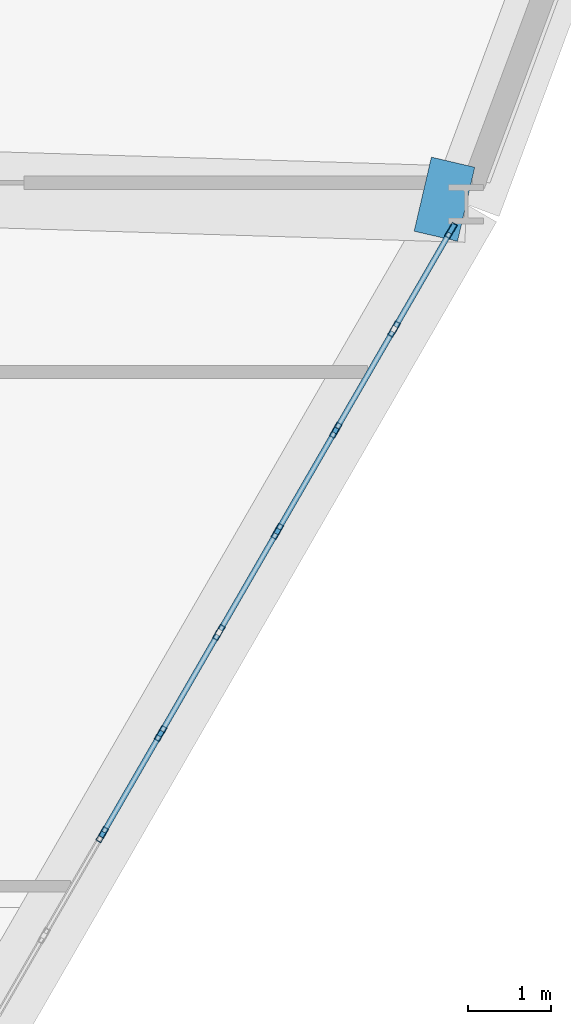
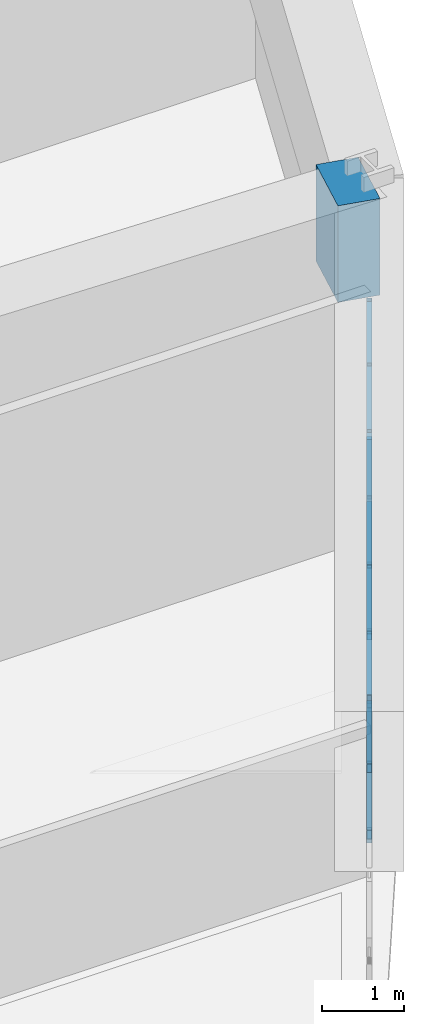
# One storey, part 9 of 20: 21 members, 1 beam, 1 element without a shape of its own.
"""IFC4 building model written with IfcOpenShell, lengths in metres."""

import ifcopenshell
import ifcopenshell.guid

model = None  # the IFC model being written
_history = None  # IfcOwnerHistory: only IFC2X3 demands one
_inside = {}  # id of a spatial element -> (the spatial element, [elements in it])
_under = {}  # id of a project, library or spatial element -> (it, [spatial elements below it])
_declared = {}  # id of a project -> (the project, [libraries it declares])
_typed = {}  # id of a type object -> (the type object, [elements of that type])
_made_of = {}  # id of a material, layer set ... -> (it, [elements and type objects made of it])


def new_model(schema):
    """Start an empty IFC model of exactly this schema.

    Asked for "IFC4X3", IfcOpenShell would pick the latest addendum, in which some entities
    have other attributes; the version numbers below select the first issue.
    IFC2X3 requires an IfcOwnerHistory on every rooted entity: one is made here for all.
    """
    global model, _history
    if schema == "IFC4X3":
        model = ifcopenshell.file(schema_version=(4, 3, 0, 0))
    else:
        model = ifcopenshell.file(schema=schema)
    _inside.clear()
    _under.clear()
    _declared.clear()
    _typed.clear()
    _made_of.clear()
    _history = None
    if model.schema == "IFC2X3":
        org = make("IfcOrganization", Name="unknown")
        user = make(
            "IfcPersonAndOrganization",
            ThePerson=make("IfcPerson", FamilyName="unknown"),
            TheOrganization=org,
        )
        app = make(
            "IfcApplication",
            ApplicationDeveloper=org,
            Version="unknown",
            ApplicationFullName="unknown",
            ApplicationIdentifier="unknown",
        )
        _history = make(
            "IfcOwnerHistory",
            OwningUser=user,
            OwningApplication=app,
            ChangeAction="ADDED",
            CreationDate=0,
        )
    return model


def make(cls, **values):
    """One entity of the class cls with the attributes given. An attribute that is None is left unset."""
    return model.create_entity(
        cls, **{name: value for name, value in values.items() if value is not None}
    )


def rooted(cls, **values):
    """An entity with a GlobalId (a new one), such as an element, a storey or a relation."""
    return make(cls, GlobalId=ifcopenshell.guid.new(), OwnerHistory=_history, **values)


def si_unit(unit_type, name, prefix=None):
    """IfcSIUnit, for example si_unit("LENGTHUNIT", "METRE", prefix="MILLI")."""
    return make("IfcSIUnit", UnitType=unit_type, Prefix=prefix, Name=name)


def derived_unit(unit_type, elements):
    """IfcDerivedUnit: a product of units, each with its exponent."""
    return make(
        "IfcDerivedUnit",
        Elements=[
            make("IfcDerivedUnitElement", Unit=unit, Exponent=power)
            for unit, power in elements
        ],
        UnitType=unit_type,
    )


def assignment(units):
    """IfcUnitAssignment: the units of a project."""
    return None if units is None else make("IfcUnitAssignment", Units=units)


def point(xyz):
    """IfcCartesianPoint."""
    return None if xyz is None else make("IfcCartesianPoint", Coordinates=xyz)


def direction(xyz):
    """IfcDirection."""
    return None if xyz is None else make("IfcDirection", DirectionRatios=xyz)


def frame(location, z_axis=None, x_axis=None):
    """IfcAxis2Placement3D, a coordinate frame: its origin and axes. An axis left out is left unset."""
    return make(
        "IfcAxis2Placement3D",
        Location=point(location),
        Axis=direction(z_axis),
        RefDirection=direction(x_axis),
    )


def frame_2d(location, x_axis=None):
    """IfcAxis2Placement2D, a coordinate frame in the plane: its origin and x axis."""
    return make(
        "IfcAxis2Placement2D", Location=point(location), RefDirection=direction(x_axis)
    )


def origin():
    """The frame at (0, 0, 0) with its axes left unset."""
    return frame((0.0, 0.0, 0.0))


def origin_2d():
    """The frame at (0, 0) in the plane with its x axis left unset."""
    return frame_2d((0.0, 0.0))


def place(relative_to, where):
    """IfcLocalPlacement: puts the frame where relative to a parent placement (None: the world)."""
    return make(
        "IfcLocalPlacement", PlacementRelTo=relative_to, RelativePlacement=where
    )


def context(
    kind, dimensions, precision=None, world=None, true_north=None, identifier=None
):
    """IfcGeometricRepresentationContext, for example the 3D "Model" context."""
    return make(
        "IfcGeometricRepresentationContext",
        ContextIdentifier=identifier,
        ContextType=kind,
        CoordinateSpaceDimension=dimensions,
        Precision=precision,
        WorldCoordinateSystem=world,
        TrueNorth=true_north,
    )


def subcontext(parent, identifier, kind, view, scale=None):
    """IfcGeometricRepresentationSubContext, for example "Body" below "Model"."""
    return make(
        "IfcGeometricRepresentationSubContext",
        ContextIdentifier=identifier,
        ContextType=kind,
        ParentContext=parent,
        TargetScale=scale,
        TargetView=view,
    )


def project(units=None, contexts=None):
    """IfcProject with its units and contexts."""
    return rooted(
        "IfcProject",
        Name="project",
        RepresentationContexts=contexts,
        UnitsInContext=assignment(units),
    )


def spatial(cls, under=None, at=None, **own):
    """A site, building, storey or space (cls), placed at a placement, below another one or the project."""
    s = rooted(cls, ObjectPlacement=at, **own)
    if under is not None:
        _under.setdefault(under.id(), (under, []))[1].append(s)
    return s


def profile(cls, at=None, kind="AREA", **sizes):
    """A parametric profile (cls). Its sizes go by their IFC names, for example OverallWidth=200.0."""
    return make(cls, ProfileType=kind, Position=at, **sizes)


def rectangle(**sizes):
    """IfcRectangleProfileDef."""
    return profile("IfcRectangleProfileDef", **sizes)


def hollow_rectangle(**sizes):
    """IfcRectangleHollowProfileDef."""
    return profile("IfcRectangleHollowProfileDef", **sizes)


def extrude(swept, where, along, depth):
    """IfcExtrudedAreaSolid: the profile swept, set in the frame where, extruded along a direction by depth."""
    return make(
        "IfcExtrudedAreaSolid",
        SweptArea=swept,
        Position=where,
        ExtrudedDirection=direction(along),
        Depth=depth,
    )


def shape(context_of_items, identifier, shape_type, items):
    """IfcShapeRepresentation: the items that make up one representation, for example the "Body"."""
    return make(
        "IfcShapeRepresentation",
        ContextOfItems=context_of_items,
        RepresentationIdentifier=identifier,
        RepresentationType=shape_type,
        Items=items,
    )


def source(mapping_origin, context_of_items, identifier, shape_type, items):
    """IfcRepresentationMap: a shape defined once, which mapped items show again and again."""
    return make(
        "IfcRepresentationMap",
        MappingOrigin=mapping_origin,
        MappedRepresentation=shape(context_of_items, identifier, shape_type, items),
    )


def transform(
    local_origin,
    x_axis=None,
    y_axis=None,
    z_axis=None,
    scale=None,
    scale2=None,
    scale3=None,
    uniform=True,
):
    """IfcCartesianTransformationOperator3D, or its non-uniform kind. x_axis, y_axis, z_axis: its Axis1, 2, 3."""
    if uniform:
        return make(
            "IfcCartesianTransformationOperator3D",
            Axis1=direction(x_axis),
            Axis2=direction(y_axis),
            LocalOrigin=point(local_origin),
            Scale=scale,
            Axis3=direction(z_axis),
        )
    return make(
        "IfcCartesianTransformationOperator3DnonUniform",
        Axis1=direction(x_axis),
        Axis2=direction(y_axis),
        LocalOrigin=point(local_origin),
        Scale=scale,
        Axis3=direction(z_axis),
        Scale2=scale2,
        Scale3=scale3,
    )


def mapped(mapping_source, mapping_target):
    """IfcMappedItem: shows the shape of a source again, moved by a transform."""
    return make(
        "IfcMappedItem", MappingSource=mapping_source, MappingTarget=mapping_target
    )


def material(Name=None, Category=None):
    """IfcMaterial."""
    return make("IfcMaterial", Name=Name, Category=Category)


def layer(
    of_material, thickness, ventilated=None, Name=None, Category=None, Priority=None
):
    """IfcMaterialLayer: one layer of a wall or slab, of a material (None: an air gap)."""
    return make(
        "IfcMaterialLayer",
        Material=of_material,
        LayerThickness=thickness,
        IsVentilated=ventilated,
        Name=Name,
        Category=Category,
        Priority=Priority,
    )


def layer_set(layers, Name=None):
    """IfcMaterialLayerSet."""
    return make("IfcMaterialLayerSet", MaterialLayers=layers, LayerSetName=Name)


def material_profile(
    of_material, cross_section, Name=None, Category=None, Priority=None
):
    """IfcMaterialProfile: a cross section and its material."""
    return make(
        "IfcMaterialProfile",
        Name=Name,
        Material=of_material,
        Profile=cross_section,
        Priority=Priority,
        Category=Category,
    )


def profile_set(profiles, Name=None, composite=None):
    """IfcMaterialProfileSet."""
    return make(
        "IfcMaterialProfileSet",
        Name=Name,
        MaterialProfiles=profiles,
        CompositeProfile=composite,
    )


def made_of(thing, what):
    """Note that an element or type object is made of a material, layer set ...; save() writes the relation."""
    if what is not None:
        _made_of.setdefault(what.id(), (what, []))[1].append(thing)
    return thing


def type_object(cls, material=None, **own):
    """A type object (cls), such as IfcWallType, which elements share."""
    return made_of(rooted(cls, **own), material)


def element(
    cls,
    number,
    at=None,
    inside=None,
    cuts=None,
    type_object=None,
    material=None,
    context=None,
    identifier="Body",
    shape_type=None,
    held_by="IfcProductDefinitionShape",
    body=None,
    shapes=None,
    **own,
):
    """One element of the class cls, such as IfcWall. Its Tag is "e" and its number.

    at: its placement. inside: the storey or other place that contains it. cuts: it is an
    opening in that element (IfcRelVoidsElement). A single representation is given by context,
    identifier, shape_type and body (its items); several are given by shapes. held_by: the class
    of the entity that holds the representations. save() writes the other relations.
    """
    e = rooted(cls, Tag="e%d" % number, ObjectPlacement=at, **own)
    if body is not None:
        shapes = [shape(context, identifier, shape_type, body)]
    if shapes is not None:
        e.Representation = make(held_by, Representations=shapes)
    if inside is not None:
        _inside.setdefault(inside.id(), (inside, []))[1].append(e)
    if cuts is not None:
        rooted(
            "IfcRelVoidsElement", RelatingBuildingElement=cuts, RelatedOpeningElement=e
        )
    if type_object is not None:
        _typed.setdefault(type_object.id(), (type_object, []))[1].append(e)
    return made_of(e, material)


def aggregate(whole, parts):
    """IfcRelAggregates: a whole, such as a stair, and the parts it consists of."""
    return rooted("IfcRelAggregates", RelatingObject=whole, RelatedObjects=parts)


def save(model, path):
    """Write the relations noted so far, then the file.

    IfcRelAggregates (storeys below a building ...), IfcRelContainedInSpatialStructure (elements
    in a storey), IfcRelDefinesByType, IfcRelAssociatesMaterial and IfcRelDeclares: one each for
    every whole, place, type object, material and project.
    """
    for whole, parts in _under.values():
        aggregate(whole, parts)
    for where, things in _inside.values():
        rooted(
            "IfcRelContainedInSpatialStructure",
            RelatedElements=things,
            RelatingStructure=where,
        )
    for kind, things in _typed.values():
        rooted("IfcRelDefinesByType", RelatedObjects=things, RelatingType=kind)
    for what, things in _made_of.values():
        rooted("IfcRelAssociatesMaterial", RelatedObjects=things, RelatingMaterial=what)
    for by, libraries in _declared.values():
        rooted("IfcRelDeclares", RelatingContext=by, RelatedDefinitions=libraries)
    model.write(path)


model = new_model("IFC4")

# Units and contexts
model_context = context("Model", 3, precision=1e-05, world=origin(), true_north=direction((0.0, 1.0)))
body_context = subcontext(model_context, "Body", "Model", "MODEL_VIEW")
ifc_project = project(units=[si_unit("LENGTHUNIT", "METRE"), si_unit("AREAUNIT", "SQUARE_METRE"), si_unit("VOLUMEUNIT", "CUBIC_METRE"), si_unit("PLANEANGLEUNIT", "RADIAN"), si_unit("MASSUNIT", "GRAM", prefix="KILO"), derived_unit("THERMALTRANSMITTANCEUNIT", [(si_unit("POWERUNIT", "WATT"), 1), (si_unit("LENGTHUNIT", "METRE"), -2), (si_unit("THERMODYNAMICTEMPERATUREUNIT", "KELVIN"), -1)])], contexts=[model_context])

# Site, building, storey
site_placement = place(None, origin())
site = spatial("IfcSite", under=ifc_project, at=site_placement, CompositionType="ELEMENT")
building_placement = place(site_placement, origin())
building = spatial("IfcBuilding", under=site, at=building_placement, Name="Korsvarv Bourse and Concert Hall", CompositionType="ELEMENT")
storey_placement = place(building_placement, frame((0.0, 0.0, 31.800048828125)))
storey = spatial("IfcBuildingStorey", under=building, at=storey_placement, Name="L07", CompositionType="ELEMENT", Elevation=31.800048828125)

# Beam
ifc_material_1 = material(Name="Concrete C50/60", Category="concrete")
ifc_material_profile_1 = material_profile(ifc_material_1, rectangle(XDim=0.919921875, YDim=1.43994140625, at=origin_2d()), Name="RC-BM 920x1440")
ifc_profile_set_1 = profile_set([ifc_material_profile_1], Name="Concrete C50/60")
beam_type = type_object("IfcBeamType", Name="BM-TR-144", PredefinedType="BEAM", material=ifc_profile_set_1)
shared_shape_1 = source(origin(), body_context, "Body", "SweptSolid", [
    extrude(rectangle(XDim=0.919921875, YDim=1.43994140625, at=origin_2d()), origin(), (0.0, 0.0, 1.0), 0.538818359375),
])
beam_placement = place(storey_placement, frame((59.029541015625, 32.05419921875, 2.9599609375), z_axis=(-0.973884647587, 0.227043372937, 0.0), x_axis=(-0.227043372937, -0.973884647587, 0.0)))
element("IfcBeam", 1, at=beam_placement, inside=storey, type_object=beam_type, Name="L07 beam B-TR4", PredefinedType="BEAM", context=body_context, shape_type="MappedRepresentation", body=[
    mapped(shared_shape_1, transform((0.0, 0.0, 0.0), scale=1.0)),
])

# Curtain wall, members
ifc_material_2 = material(Name="Anodised aluminium and triple low-E glazing", Category="glass")
ifc_layer = layer(ifc_material_2, 0.219970703125)
ifc_layer_set = layer_set([ifc_layer], Name="Anodised aluminium and triple low-E glazing")
curtain_wall_type = type_object("IfcCurtainWallType", Name="CW-SYS-1", PredefinedType="NOTDEFINED", material=ifc_layer_set)
curtain_wall_placement = place(storey_placement, origin())
curtain_wall = element("IfcCurtainWall", 2, at=curtain_wall_placement, inside=storey, type_object=curtain_wall_type, Name="L07 CW1 curtain wall CW-L07-F11", PredefinedType="NOTDEFINED")
ifc_material_3 = material(Name="Extruded aluminium EN AW-6063 T66", Category="aluminium")
ifc_material_profile_2 = material_profile(ifc_material_3, hollow_rectangle(XDim=0.070068359375, YDim=0.18994140625, WallThickness=0.0048828125, at=origin_2d()), Name="ALU-M 70x190")
ifc_profile_set_2 = profile_set([ifc_material_profile_2], Name="Extruded aluminium EN AW-6063 T66")
member_type_1 = type_object("IfcMemberType", Name="CWM-190", PredefinedType="MULLION", material=ifc_profile_set_2)
shared_shape_2 = source(origin(), body_context, "Body", "SweptSolid", [
    extrude(hollow_rectangle(XDim=0.070068359375, YDim=0.18994140625, WallThickness=0.0048828125, at=origin_2d()), origin(), (0.0, 0.0, 1.0), 2.079833984375),
])
member_1_placement = place(storey_placement, frame((54.627685546875, 24.429931640625, 0.0), z_axis=(0.0, 0.0, 1.0), x_axis=(-0.866028517121, 0.499994607504, 0.0)))
member_1 = element("IfcMember", 3, at=member_1_placement, type_object=member_type_1, Name="CW1 mullion 6", PredefinedType="MULLION", context=body_context, shape_type="MappedRepresentation", body=[
    mapped(shared_shape_2, transform((0.0, 0.0, 0.0), scale=1.0)),
])
member_2_placement = place(storey_placement, frame((55.333740234375, 25.65283203125, 0.0), z_axis=(0.0, 0.0, 1.0), x_axis=(-0.866028517121, 0.499994607504, 0.0)))
member_2 = element("IfcMember", 4, at=member_2_placement, type_object=member_type_1, Name="CW1 mullion 7", PredefinedType="MULLION", context=body_context, shape_type="MappedRepresentation", body=[
    mapped(shared_shape_2, transform((0.0, 0.0, 0.0), scale=1.0)),
])
member_3_placement = place(storey_placement, frame((56.039794921875, 26.875732421875, 0.0), z_axis=(0.0, 0.0, 1.0), x_axis=(-0.866028517121, 0.499994607504, 0.0)))
member_3 = element("IfcMember", 5, at=member_3_placement, type_object=member_type_1, Name="CW1 mullion 8", PredefinedType="MULLION", context=body_context, shape_type="MappedRepresentation", body=[
    mapped(shared_shape_2, transform((0.0, 0.0, 0.0), scale=1.0)),
])
member_4_placement = place(storey_placement, frame((56.745849609375, 28.0986328125, 0.0), z_axis=(0.0, 0.0, 1.0), x_axis=(-0.866028517121, 0.499994607504, 0.0)))
member_4 = element("IfcMember", 6, at=member_4_placement, type_object=member_type_1, Name="CW1 mullion 9", PredefinedType="MULLION", context=body_context, shape_type="MappedRepresentation", body=[
    mapped(shared_shape_2, transform((0.0, 0.0, 0.0), scale=1.0)),
])
member_5_placement = place(storey_placement, frame((57.451904296875, 29.3212890625, 0.0), z_axis=(0.0, 0.0, 1.0), x_axis=(-0.866028517121, 0.499994607504, 0.0)))
member_5 = element("IfcMember", 7, at=member_5_placement, type_object=member_type_1, Name="CW1 mullion 10", PredefinedType="MULLION", context=body_context, shape_type="MappedRepresentation", body=[
    mapped(shared_shape_2, transform((0.0, 0.0, 0.0), scale=1.0)),
])
member_6_placement = place(storey_placement, frame((58.15771484375, 30.544189453125, 0.0), z_axis=(0.0, 0.0, 1.0), x_axis=(-0.866028517121, 0.499994607504, 0.0)))
member_6 = element("IfcMember", 8, at=member_6_placement, type_object=member_type_1, Name="CW1 mullion 11", PredefinedType="MULLION", context=body_context, shape_type="MappedRepresentation", body=[
    mapped(shared_shape_2, transform((0.0, 0.0, 0.0), scale=1.0)),
])
member_7_placement = place(storey_placement, frame((58.84619140625, 31.73681640625, 0.0), z_axis=(0.0, 0.0, 1.0), x_axis=(-0.866028517121, 0.499994607504, 0.0)))
member_7 = element("IfcMember", 9, at=member_7_placement, type_object=member_type_1, Name="CW1 mullion 12", PredefinedType="MULLION", context=body_context, shape_type="MappedRepresentation", body=[
    mapped(shared_shape_2, transform((0.0, 0.0, 0.0), scale=1.0)),
])
ifc_material_profile_3 = material_profile(ifc_material_3, hollow_rectangle(XDim=0.06494140625, YDim=0.139892578125, WallThickness=0.00390625, at=origin_2d()), Name="ALU-T 65x140")
ifc_profile_set_3 = profile_set([ifc_material_profile_3], Name="Extruded aluminium EN AW-6063 T66")
member_type_2 = type_object("IfcMemberType", Name="CWT-140", PredefinedType="USERDEFINED", material=ifc_profile_set_3)
shared_shape_3 = source(origin(), body_context, "Body", "SweptSolid", [
    extrude(hollow_rectangle(XDim=0.06494140625, YDim=0.139892578125, WallThickness=0.00390625, at=origin_2d()), origin(), (0.0, 0.0, 1.0), 1.30712890625),
])
member_8_placement = place(storey_placement, frame((58.17529296875, 30.574462890625, 0.032470703125), z_axis=(0.499975738995, 0.866039410429, 0.0), x_axis=(-0.866039410429, 0.499975738995, 0.0)))
member_8 = element("IfcMember", 10, at=member_8_placement, type_object=member_type_2, Name="CW1 transom 11.1", ObjectType="TRANSOM", PredefinedType="USERDEFINED", context=body_context, shape_type="MappedRepresentation", body=[
    mapped(shared_shape_3, transform((0.0, 0.0, 0.0), scale=1.0)),
])
member_9_placement = place(storey_placement, frame((58.17529296875, 30.574462890625, 2.04736328125), z_axis=(0.499975738995, 0.866039410429, 0.0), x_axis=(-0.866039410429, 0.499975738995, 0.0)))
member_9 = element("IfcMember", 11, at=member_9_placement, type_object=member_type_2, Name="CW1 transom 11.2", ObjectType="TRANSOM", PredefinedType="USERDEFINED", context=body_context, shape_type="MappedRepresentation", body=[
    mapped(shared_shape_3, transform((0.0, 0.0, 0.0), scale=1.0)),
])
shared_shape_4 = source(origin(), body_context, "Body", "SweptSolid", [
    extrude(hollow_rectangle(XDim=0.06494140625, YDim=0.139892578125, WallThickness=0.00390625, at=origin_2d()), origin(), (0.0, 0.0, 1.0), 1.342041015625),
])
member_10_placement = place(storey_placement, frame((54.645263671875, 24.46044921875, 0.032470703125), z_axis=(0.500110886074, 0.865961374214, 0.0), x_axis=(-0.865961374214, 0.500110886074, 0.0)))
member_10 = element("IfcMember", 12, at=member_10_placement, type_object=member_type_2, Name="CW1 transom 6.1", ObjectType="TRANSOM", PredefinedType="USERDEFINED", context=body_context, shape_type="MappedRepresentation", body=[
    mapped(shared_shape_4, transform((0.0, 0.0, 0.0), scale=1.0)),
])
member_11_placement = place(storey_placement, frame((54.645263671875, 24.46044921875, 2.04736328125), z_axis=(0.500110886074, 0.865961374214, 0.0), x_axis=(-0.865961374214, 0.500110886074, 0.0)))
member_11 = element("IfcMember", 13, at=member_11_placement, type_object=member_type_2, Name="CW1 transom 6.2", ObjectType="TRANSOM", PredefinedType="USERDEFINED", context=body_context, shape_type="MappedRepresentation", body=[
    mapped(shared_shape_4, transform((0.0, 0.0, 0.0), scale=1.0)),
])
member_12_placement = place(storey_placement, frame((55.351318359375, 25.68310546875, 0.032470703125), z_axis=(0.49989567431, 0.866085627872, 0.0), x_axis=(-0.866085627872, 0.49989567431, 0.0)))
member_12 = element("IfcMember", 14, at=member_12_placement, type_object=member_type_2, Name="CW1 transom 7.1", ObjectType="TRANSOM", PredefinedType="USERDEFINED", context=body_context, shape_type="MappedRepresentation", body=[
    mapped(shared_shape_4, transform((0.0, 0.0, 0.0), scale=1.0)),
])
member_13_placement = place(storey_placement, frame((55.351318359375, 25.68310546875, 2.04736328125), z_axis=(0.49989567431, 0.866085627872, 0.0), x_axis=(-0.866085627872, 0.49989567431, 0.0)))
member_13 = element("IfcMember", 15, at=member_13_placement, type_object=member_type_2, Name="CW1 transom 7.2", ObjectType="TRANSOM", PredefinedType="USERDEFINED", context=body_context, shape_type="MappedRepresentation", body=[
    mapped(shared_shape_4, transform((0.0, 0.0, 0.0), scale=1.0)),
])
member_14_placement = place(storey_placement, frame((56.057373046875, 26.906005859375, 0.032470703125), z_axis=(0.49989567431, 0.866085627872, 0.0), x_axis=(-0.866085627872, 0.49989567431, 0.0)))
member_14 = element("IfcMember", 16, at=member_14_placement, type_object=member_type_2, Name="CW1 transom 8.1", ObjectType="TRANSOM", PredefinedType="USERDEFINED", context=body_context, shape_type="MappedRepresentation", body=[
    mapped(shared_shape_4, transform((0.0, 0.0, 0.0), scale=1.0)),
])
member_15_placement = place(storey_placement, frame((56.057373046875, 26.906005859375, 2.04736328125), z_axis=(0.49989567431, 0.866085627872, 0.0), x_axis=(-0.866085627872, 0.49989567431, 0.0)))
member_15 = element("IfcMember", 17, at=member_15_placement, type_object=member_type_2, Name="CW1 transom 8.2", ObjectType="TRANSOM", PredefinedType="USERDEFINED", context=body_context, shape_type="MappedRepresentation", body=[
    mapped(shared_shape_4, transform((0.0, 0.0, 0.0), scale=1.0)),
])
member_16_placement = place(storey_placement, frame((56.76318359375, 28.12890625, 0.032470703125), z_axis=(0.500110886074, 0.865961374214, 0.0), x_axis=(-0.865961374214, 0.500110886074, 0.0)))
member_16 = element("IfcMember", 18, at=member_16_placement, type_object=member_type_2, Name="CW1 transom 9.1", ObjectType="TRANSOM", PredefinedType="USERDEFINED", context=body_context, shape_type="MappedRepresentation", body=[
    mapped(shared_shape_4, transform((0.0, 0.0, 0.0), scale=1.0)),
])
member_17_placement = place(storey_placement, frame((56.76318359375, 28.12890625, 2.04736328125), z_axis=(0.500110886074, 0.865961374214, 0.0), x_axis=(-0.865961374214, 0.500110886074, 0.0)))
member_17 = element("IfcMember", 19, at=member_17_placement, type_object=member_type_2, Name="CW1 transom 9.2", ObjectType="TRANSOM", PredefinedType="USERDEFINED", context=body_context, shape_type="MappedRepresentation", body=[
    mapped(shared_shape_4, transform((0.0, 0.0, 0.0), scale=1.0)),
])
member_18_placement = place(storey_placement, frame((57.46923828125, 29.351806640625, 0.032470703125), z_axis=(0.500110886074, 0.865961374214, 0.0), x_axis=(-0.865961374214, 0.500110886074, 0.0)))
member_18 = element("IfcMember", 20, at=member_18_placement, type_object=member_type_2, Name="CW1 transom 10.1", ObjectType="TRANSOM", PredefinedType="USERDEFINED", context=body_context, shape_type="MappedRepresentation", body=[
    mapped(shared_shape_4, transform((0.0, 0.0, 0.0), scale=1.0)),
])
member_19_placement = place(storey_placement, frame((57.46923828125, 29.351806640625, 2.04736328125), z_axis=(0.500110886074, 0.865961374214, 0.0), x_axis=(-0.865961374214, 0.500110886074, 0.0)))
member_19 = element("IfcMember", 21, at=member_19_placement, type_object=member_type_2, Name="CW1 transom 10.2", ObjectType="TRANSOM", PredefinedType="USERDEFINED", context=body_context, shape_type="MappedRepresentation", body=[
    mapped(shared_shape_4, transform((0.0, 0.0, 0.0), scale=1.0)),
])
ifc_material_profile_4 = material_profile(ifc_material_3, hollow_rectangle(XDim=0.06494140625, YDim=0.1650390625, WallThickness=0.0048828125, at=origin_2d()), Name="ALU-M 65x165")
ifc_profile_set_4 = profile_set([ifc_material_profile_4], Name="Extruded aluminium EN AW-6063 T66")
member_type_3 = type_object("IfcMemberType", Name="CWM-165", PredefinedType="MULLION", material=ifc_profile_set_4)
shared_shape_5 = source(origin(), body_context, "Body", "SweptSolid", [
    extrude(hollow_rectangle(XDim=0.06494140625, YDim=0.1650390625, WallThickness=0.0048828125, at=origin_2d()), origin(), (0.0, 0.0, 1.0), 2.3671875),
])
member_20_placement = place(storey_placement, frame((55.31640625, 25.62255859375, 0.06494140625), z_axis=(-0.283527490774, -0.490938834517, 0.823766485564), x_axis=(0.865961374214, -0.500110886074, 0.0)))
member_20 = element("IfcMember", 22, at=member_20_placement, type_object=member_type_3, Name="CW1 diagonal mullion 6", PredefinedType="MULLION", context=body_context, shape_type="MappedRepresentation", body=[
    mapped(shared_shape_5, transform((0.0, 0.0, 0.0), scale=1.0)),
])
member_21_placement = place(storey_placement, frame((56.76318359375, 28.12890625, 0.06494140625), z_axis=(0.283527490774, 0.490938834517, 0.823766485564), x_axis=(-0.865961374214, 0.500110886074, 0.0)))
member_21 = element("IfcMember", 23, at=member_21_placement, type_object=member_type_3, Name="CW1 diagonal mullion 9", PredefinedType="MULLION", context=body_context, shape_type="MappedRepresentation", body=[
    mapped(shared_shape_5, transform((0.0, 0.0, 0.0), scale=1.0)),
])
aggregate(curtain_wall, [member_1, member_2, member_3, member_4, member_5, member_6, member_7, member_10, member_11, member_20, member_12, member_13, member_14, member_15, member_16, member_17, member_21, member_18, member_19, member_8, member_9])

save(model, "model.ifc")
